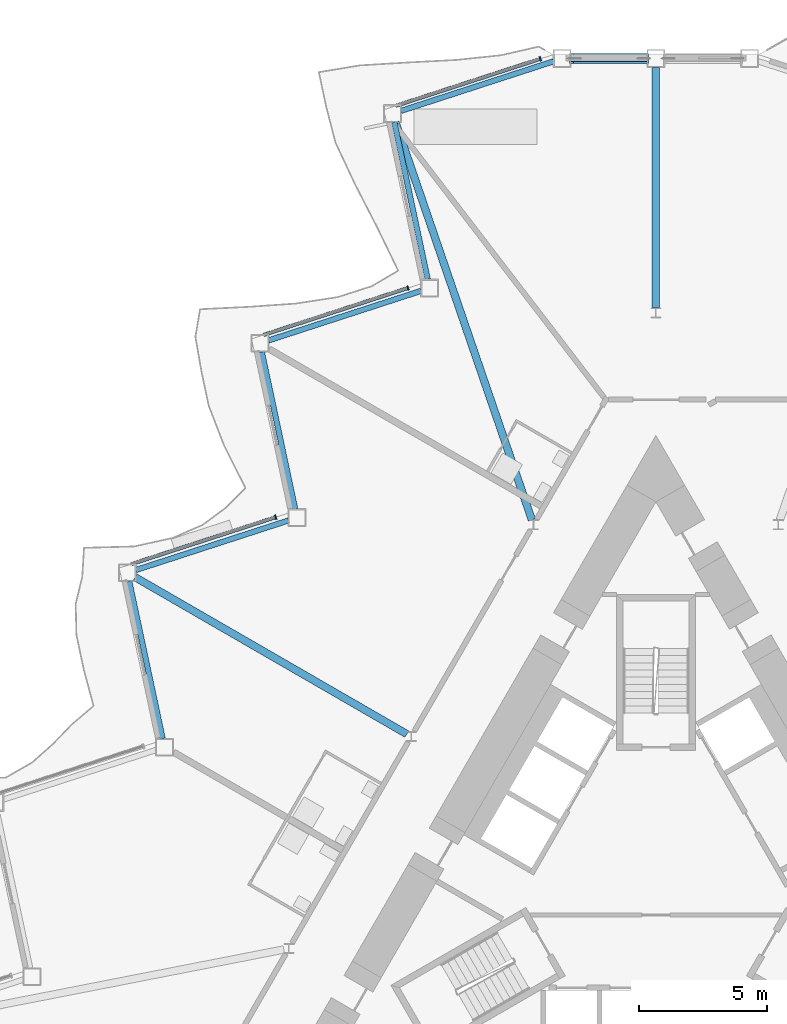
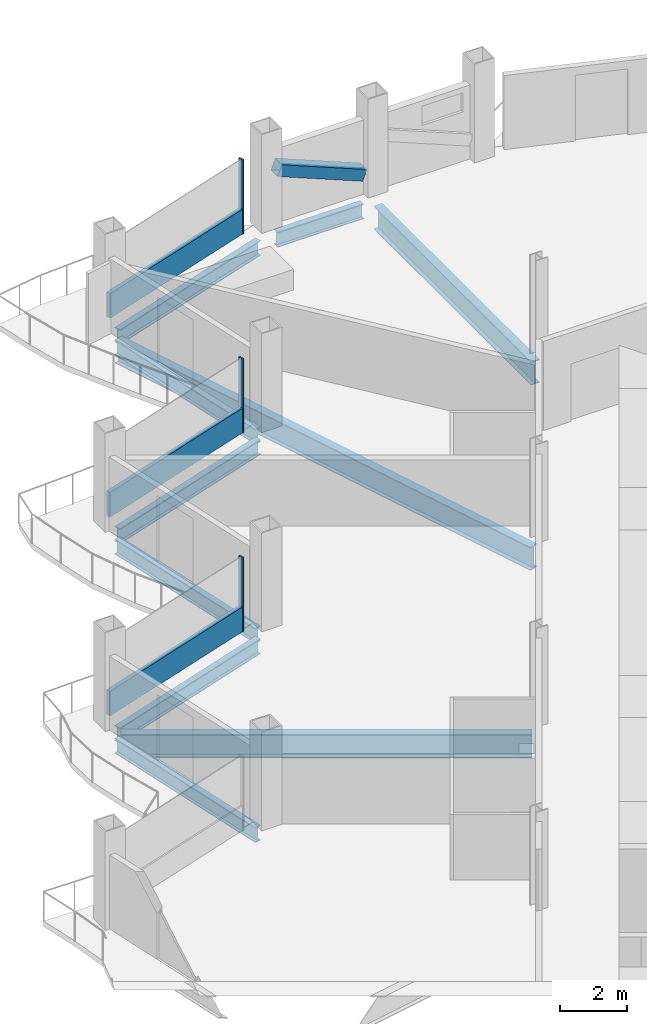
# One storey, part 8 of 23: 10 beams, 7 members, 3 elements without a shape of their own.
"""IFC4 building model written with IfcOpenShell, lengths in metres."""

from ifc_helpers import new_model, si_unit, direction, frame, origin, origin_2d, place, context, subcontext, project, spatial, rectangle, hollow_rectangle, i_section, extrude, material, layer, layer_set, material_profile, profile_set, type_object, element, aggregate, save


model = new_model("IFC4")

# Units and contexts
model_context = context("Model", 3, precision=1e-05, world=origin(), true_north=direction((0.0, 1.0)))
body_context = subcontext(model_context, "Body", "Model", "MODEL_VIEW")
ifc_project = project(units=[si_unit("LENGTHUNIT", "METRE"), si_unit("AREAUNIT", "SQUARE_METRE"), si_unit("VOLUMEUNIT", "CUBIC_METRE"), si_unit("PLANEANGLEUNIT", "RADIAN"), si_unit("MASSUNIT", "GRAM", prefix="KILO")], contexts=[model_context])

# Site, building, storey
site_placement = place(None, origin())
site = spatial("IfcSite", under=ifc_project, at=site_placement, CompositionType="ELEMENT")
building_placement = place(site_placement, origin())
building = spatial("IfcBuilding", under=site, at=building_placement, Name="Cormorant Prow Tower", CompositionType="ELEMENT")
storey_placement = place(building_placement, frame((0.0, 0.0, 252.60009765625)))
storey = spatial("IfcBuildingStorey", under=building, at=storey_placement, Name="L56", CompositionType="ELEMENT", Elevation=252.60009765625)

# Member
ifc_material_1 = material(Name="Structural steel ASTM A500 Gr C", Category="steel")
ifc_material_profile_1 = material_profile(ifc_material_1, hollow_rectangle(XDim=0.406494140625, YDim=0.406494140625, WallThickness=0.01171875, at=origin_2d()), Name="HSS16x16x1/2")
ifc_profile_set_1 = profile_set([ifc_material_profile_1], Name="Structural steel ASTM A500 Gr C")
member_type_1 = type_object("IfcMemberType", Name="Chamfer brace HSS16x16x1/2", PredefinedType="BRACE", material=ifc_profile_set_1)
member_1_placement = place(storey_placement, frame((-0.36572265625, 32.073486328125, 0.74951171875), z_axis=(-0.925591042089, 0.0, 0.37852506232), x_axis=(0.0, -1.0, 0.0)))
element("IfcMember", 1, at=member_1_placement, inside=storey, type_object=member_type_1, Name="Chamfer brace BR2 at N01 L56", PredefinedType="BRACE", context=body_context, shape_type="SweptSolid", body=[
    extrude(hollow_rectangle(XDim=0.406494140625, YDim=0.406494140625, WallThickness=0.01171875, at=origin_2d()), origin(), (0.0, 0.0, 1.0), 3.17529296875),
])

# Curtain wall, member
ifc_material_2 = material(Name="Aluminium 6063-T6", Category="aluminium")
ifc_layer = layer(ifc_material_2, 0.179931640625)
ifc_layer_set = layer_set([ifc_layer], Name="Aluminium 6063-T6")
curtain_wall_type = type_object("IfcCurtainWallType", Name="Hotel unitised curtain wall 180", PredefinedType="NOTDEFINED", material=ifc_layer_set)
curtain_wall_1_placement = place(storey_placement, origin())
curtain_wall_1 = element("IfcCurtainWall", 2, at=curtain_wall_1_placement, inside=storey, type_object=curtain_wall_type, Name="Hotel curtain wall WNW00", PredefinedType="NOTDEFINED")
ifc_material_3 = material(Name="Aluminium 6063-T6", Category="aluminium")
ifc_material_profile_2 = material_profile(ifc_material_3, rectangle(XDim=0.179931640625, YDim=0.06005859375, at=origin_2d()), Name="Hotel mullion 60x180")
ifc_profile_set_2 = profile_set([ifc_material_profile_2], Name="Aluminium 6063-T6")
member_type_2 = type_object("IfcMemberType", Name="Hotel mullion 60x180", PredefinedType="MULLION", material=ifc_profile_set_2)
member_2_placement = place(storey_placement, frame((-4.524658203125, 32.060546875, 0.0), z_axis=(0.0, 0.0, 1.0), x_axis=(0.309016939349, -0.951056534174, 0.0)))
member_2 = element("IfcMember", 3, at=member_2_placement, type_object=member_type_2, Name="Hotel mullion WNW00", PredefinedType="MULLION", context=body_context, shape_type="SweptSolid", body=[
    extrude(rectangle(XDim=0.179931640625, YDim=0.06005859375, at=origin_2d()), origin(), (0.0, 0.0, 1.0), 2.70068359375),
])

curtain_wall_2_placement = place(storey_placement, origin())
curtain_wall_2 = element("IfcCurtainWall", 4, at=curtain_wall_2_placement, inside=storey, type_object=curtain_wall_type, Name="Hotel curtain wall WNW02", PredefinedType="NOTDEFINED")
member_3_placement = place(storey_placement, frame((-9.704345703125, 23.08935546875, 0.0), z_axis=(0.0, 0.0, 1.0), x_axis=(0.309016939349, -0.951056534174, 0.0)))
member_3 = element("IfcMember", 5, at=member_3_placement, type_object=member_type_2, Name="Hotel mullion WNW02", PredefinedType="MULLION", context=body_context, shape_type="SweptSolid", body=[
    extrude(rectangle(XDim=0.179931640625, YDim=0.06005859375, at=origin_2d()), origin(), (0.0, 0.0, 1.0), 2.70068359375),
])

curtain_wall_3_placement = place(storey_placement, origin())
curtain_wall_3 = element("IfcCurtainWall", 6, at=curtain_wall_3_placement, inside=storey, type_object=curtain_wall_type, Name="Hotel curtain wall WNW04", PredefinedType="NOTDEFINED")
member_4_placement = place(storey_placement, frame((-14.8837890625, 14.1181640625, 0.0), z_axis=(0.0, 0.0, 1.0), x_axis=(0.309017069121, -0.951056492009, 0.0)))
member_4 = element("IfcMember", 7, at=member_4_placement, type_object=member_type_2, Name="Hotel mullion WNW04", PredefinedType="MULLION", context=body_context, shape_type="SweptSolid", body=[
    extrude(rectangle(XDim=0.179931640625, YDim=0.06005859375, at=origin_2d()), origin(), (0.0, 0.0, 1.0), 2.70068359375),
])

# Member
ifc_material_4 = material(Name="Terracotta", Category="masonry")
ifc_material_profile_3 = material_profile(ifc_material_4, rectangle(XDim=0.139892578125, YDim=0.89990234375, at=origin_2d()), Name="Hotel terracotta spandrel rail 140x900")
ifc_profile_set_3 = profile_set([ifc_material_profile_3], Name="Terracotta")
member_type_3 = type_object("IfcMemberType", Name="Hotel terracotta spandrel rail 140x900", PredefinedType="USERDEFINED", material=ifc_profile_set_3)
member_5_placement = place(storey_placement, frame((-4.55322265625, 32.05126953125, 0.449951171875), z_axis=(-0.951065040559, -0.308990758158, 0.0), x_axis=(0.308990758158, -0.951065040559, 0.0)))
member_5 = element("IfcMember", 8, at=member_5_placement, type_object=member_type_3, Name="Hotel spandrel rail WNW00", ObjectType="TRANSOM", PredefinedType="USERDEFINED", context=body_context, shape_type="SweptSolid", body=[
    extrude(rectangle(XDim=0.139892578125, YDim=0.89990234375, at=origin_2d()), origin(), (0.0, 0.0, 1.0), 5.90771484375),
])

aggregate(curtain_wall_1, [member_2, member_5])

member_6_placement = place(storey_placement, frame((-9.732666015625, 23.080078125, 0.449951171875), z_axis=(-0.951065040559, -0.308990758158, 0.0), x_axis=(0.308990758158, -0.951065040559, 0.0)))
member_6 = element("IfcMember", 9, at=member_6_placement, type_object=member_type_3, Name="Hotel spandrel rail WNW02", ObjectType="TRANSOM", PredefinedType="USERDEFINED", context=body_context, shape_type="SweptSolid", body=[
    extrude(rectangle(XDim=0.139892578125, YDim=0.89990234375, at=origin_2d()), origin(), (0.0, 0.0, 1.0), 5.90771484375),
])

aggregate(curtain_wall_2, [member_3, member_6])

member_7_placement = place(storey_placement, frame((-14.912353515625, 14.10888671875, 0.449951171875), z_axis=(-0.951061094762, -0.309002902948, 0.0), x_axis=(0.309002902948, -0.951061094762, 0.0)))
member_7 = element("IfcMember", 10, at=member_7_placement, type_object=member_type_3, Name="Hotel spandrel rail WNW04", ObjectType="TRANSOM", PredefinedType="USERDEFINED", context=body_context, shape_type="SweptSolid", body=[
    extrude(rectangle(XDim=0.139892578125, YDim=0.89990234375, at=origin_2d()), origin(), (0.0, 0.0, 1.0), 5.907470703125),
])

aggregate(curtain_wall_3, [member_4, member_7])

# Beams
ifc_material_5 = material(Name="Structural steel ASTM A992 Gr 50", Category="steel")
ifc_material_profile_4 = material_profile(ifc_material_5, i_section(OverallWidth=0.29296875, OverallDepth=0.845703125, WebThickness=0.015380859375, FlangeThickness=0.0244140625, at=origin_2d()), Name="W33x141")
ifc_profile_set_4 = profile_set([ifc_material_profile_4], Name="Structural steel ASTM A992 Gr 50")
beam_type_1 = type_object("IfcBeamType", Name="Radial floor beam W33x141", PredefinedType="BEAM", material=ifc_profile_set_4)
beam_1_placement = place(storey_placement, frame((0.0, 22.320068359375, -0.77294921875), z_axis=(0.0, 1.0, 0.0), x_axis=(-1.0, 0.0, 0.0)))
element("IfcBeam", 11, at=beam_1_placement, inside=storey, type_object=beam_type_1, Name="Radial floor beam FB2 1 L56", PredefinedType="BEAM", context=body_context, shape_type="SweptSolid", body=[
    extrude(i_section(OverallWidth=0.29296875, OverallDepth=0.845703125, WebThickness=0.015380859375, FlangeThickness=0.0244140625, at=origin_2d()), origin(), (0.0, 0.0, 1.0), 9.4033203125),
])
beam_2_placement = place(storey_placement, frame((-4.85400390625, 14.013916015625, -0.77294921875), z_axis=(-0.324535507117, 0.945873514071, 0.0), x_axis=(-0.945873514071, -0.324535507117, 0.0)))
element("IfcBeam", 12, at=beam_2_placement, inside=storey, type_object=beam_type_1, Name="Radial floor beam FB2 2 L56", PredefinedType="BEAM", context=body_context, shape_type="SweptSolid", body=[
    extrude(i_section(OverallWidth=0.29296875, OverallDepth=0.845703125, WebThickness=0.015380859375, FlangeThickness=0.0244140625, at=origin_2d()), origin(), (0.0, 0.0, 1.0), 16.462158203125),
])
beam_3_placement = place(storey_placement, frame((-9.751220703125, 5.6298828125, -0.77294921875), z_axis=(-0.866021995826, 0.500005902711, 0.0), x_axis=(-0.500005902711, -0.866021995826, 0.0)))
element("IfcBeam", 13, at=beam_3_placement, inside=storey, type_object=beam_type_1, Name="Radial floor beam FB2 3 L56", PredefinedType="BEAM", context=body_context, shape_type="SweptSolid", body=[
    extrude(i_section(OverallWidth=0.29296875, OverallDepth=0.845703125, WebThickness=0.015380859375, FlangeThickness=0.0244140625, at=origin_2d()), origin(), (0.0, 0.0, 1.0), 12.277099609375),
])
ifc_material_6 = material(Name="Structural steel ASTM A992 Gr 50", Category="steel")
ifc_material_profile_5 = material_profile(ifc_material_6, i_section(OverallWidth=0.2138671875, OverallDepth=0.549072265625, WebThickness=0.0146484375, FlangeThickness=0.023681640625, at=origin_2d()), Name="W21x93")
ifc_profile_set_5 = profile_set([ifc_material_profile_5], Name="Structural steel ASTM A992 Gr 50")
beam_type_2 = type_object("IfcBeamType", Name="Spandrel beam W21x93", PredefinedType="SPANDREL", material=ifc_profile_set_5)
beam_4_placement = place(storey_placement, frame((-0.35009765625, 32.073486328125, -0.624755859375), z_axis=(-1.0, 0.0, 0.0), x_axis=(0.0, -1.0, 0.0)))
element("IfcBeam", 14, at=beam_4_placement, inside=storey, type_object=beam_type_2, Name="Spandrel beam SB2 N01-WNW00 L56", PredefinedType="SPANDREL", context=body_context, shape_type="SweptSolid", body=[
    extrude(i_section(OverallWidth=0.2138671875, OverallDepth=0.549072265625, WebThickness=0.0146484375, FlangeThickness=0.023681640625, at=origin_2d()), origin(), (0.0, 0.0, 1.0), 2.97021484375),
])
for number, where, z_axis, x_axis, name in (
    (15, (-4.003173828125, 31.96533203125, -0.624755859375), (-0.951054060056, -0.309024553801, 0.0), (0.309024553801, -0.951054060056, 0.0), "Spandrel beam SB2 WNW00-WNW01 L56"),
    (16, (-10.2373046875, 29.57373046875, -0.624755859375), (0.207896407679, -0.97815084914, 0.0), (0.97815084914, 0.207896407679, 0.0), "Spandrel beam SB2 WNW01-WNW02 L56"),
):
    element("IfcBeam", number, at=place(storey_placement, frame(where, z_axis=z_axis, x_axis=x_axis)), inside=storey, type_object=beam_type_2, Name=name, PredefinedType="SPANDREL", context=body_context, shape_type="SweptSolid", body=[
        extrude(i_section(OverallWidth=0.2138671875, OverallDepth=0.549072265625, WebThickness=0.0146484375, FlangeThickness=0.023681640625, at=origin_2d()), origin(), (0.0, 0.0, 1.0), 6.281494140625),
    ])
beam_5_placement = place(storey_placement, frame((-9.191650390625, 22.97900390625, -0.624755859375), z_axis=(-0.951050348284, -0.309035976918, 0.0), x_axis=(0.309035976918, -0.951050348284, 0.0)))
element("IfcBeam", 17, at=beam_5_placement, inside=storey, type_object=beam_type_2, Name="Spandrel beam SB2 WNW02-WNW03 L56", PredefinedType="SPANDREL", context=body_context, shape_type="SweptSolid", body=[
    extrude(i_section(OverallWidth=0.2138671875, OverallDepth=0.549072265625, WebThickness=0.0146484375, FlangeThickness=0.023681640625, at=origin_2d()), origin(), (0.0, 0.0, 1.0), 6.28125),
])
beam_6_placement = place(storey_placement, frame((-15.42578125, 20.58740234375, -0.624755859375), z_axis=(0.207933593793, -0.978142944856, 0.0), x_axis=(0.978142944856, 0.207933593793, 0.0)))
element("IfcBeam", 18, at=beam_6_placement, inside=storey, type_object=beam_type_2, Name="Spandrel beam SB2 WNW03-WNW04 L56", PredefinedType="SPANDREL", context=body_context, shape_type="SweptSolid", body=[
    extrude(i_section(OverallWidth=0.2138671875, OverallDepth=0.549072265625, WebThickness=0.0146484375, FlangeThickness=0.023681640625, at=origin_2d()), origin(), (0.0, 0.0, 1.0), 6.281494140625),
])
beam_7_placement = place(storey_placement, frame((-14.3798828125, 13.99267578125, -0.624755859375), z_axis=(-0.951050348284, -0.309035976918, 0.0), x_axis=(0.309035976918, -0.951050348284, 0.0)))
element("IfcBeam", 19, at=beam_7_placement, inside=storey, type_object=beam_type_2, Name="Spandrel beam SB2 WNW04-WNW05 L56", PredefinedType="SPANDREL", context=body_context, shape_type="SweptSolid", body=[
    extrude(i_section(OverallWidth=0.2138671875, OverallDepth=0.549072265625, WebThickness=0.0146484375, FlangeThickness=0.023681640625, at=origin_2d()), origin(), (0.0, 0.0, 1.0), 6.28125),
])
beam_8_placement = place(storey_placement, frame((-20.614013671875, 11.60107421875, -0.624755859375), z_axis=(0.207933593793, -0.978142944856, 0.0), x_axis=(0.978142944856, 0.207933593793, 0.0)))
element("IfcBeam", 20, at=beam_8_placement, inside=storey, type_object=beam_type_2, Name="Spandrel beam SB2 WNW05-WNW06 L56", PredefinedType="SPANDREL", context=body_context, shape_type="SweptSolid", body=[
    extrude(i_section(OverallWidth=0.2138671875, OverallDepth=0.549072265625, WebThickness=0.0146484375, FlangeThickness=0.023681640625, at=origin_2d()), origin(), (0.0, 0.0, 1.0), 6.281494140625),
])

save(model, "model.ifc")
